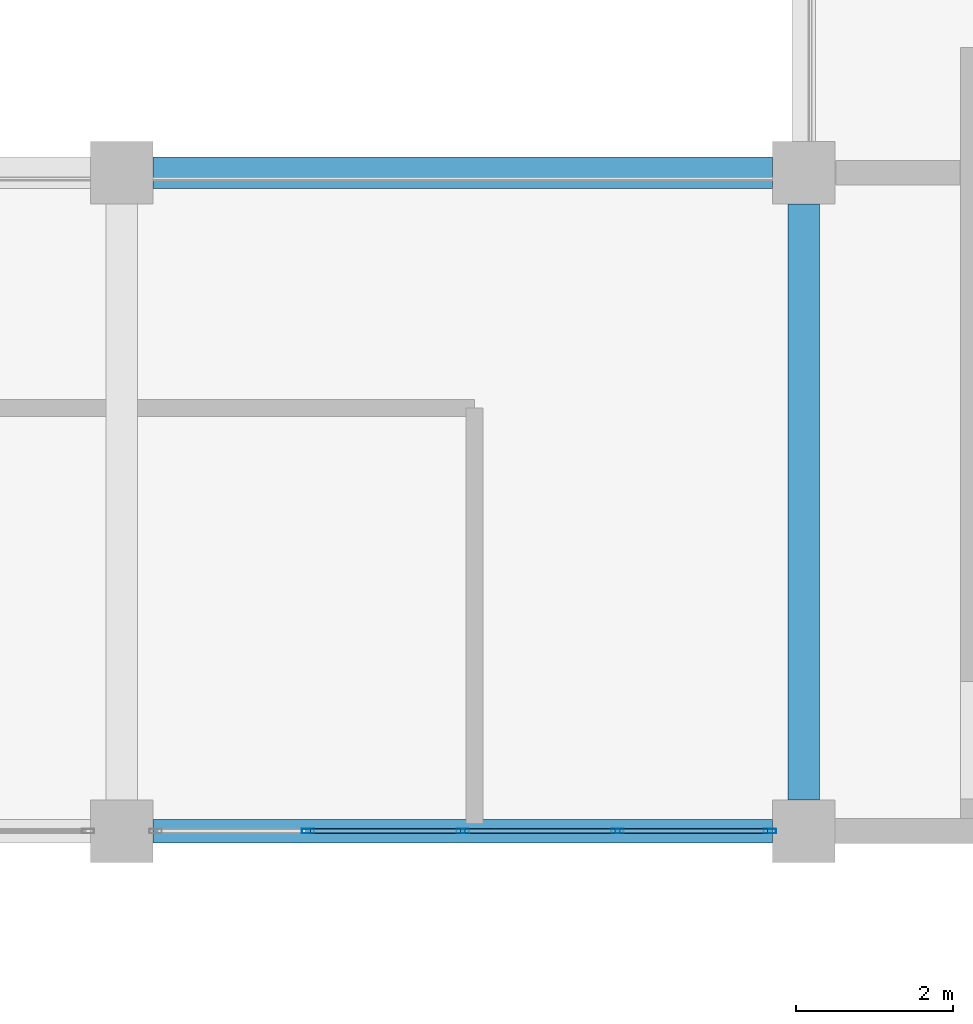
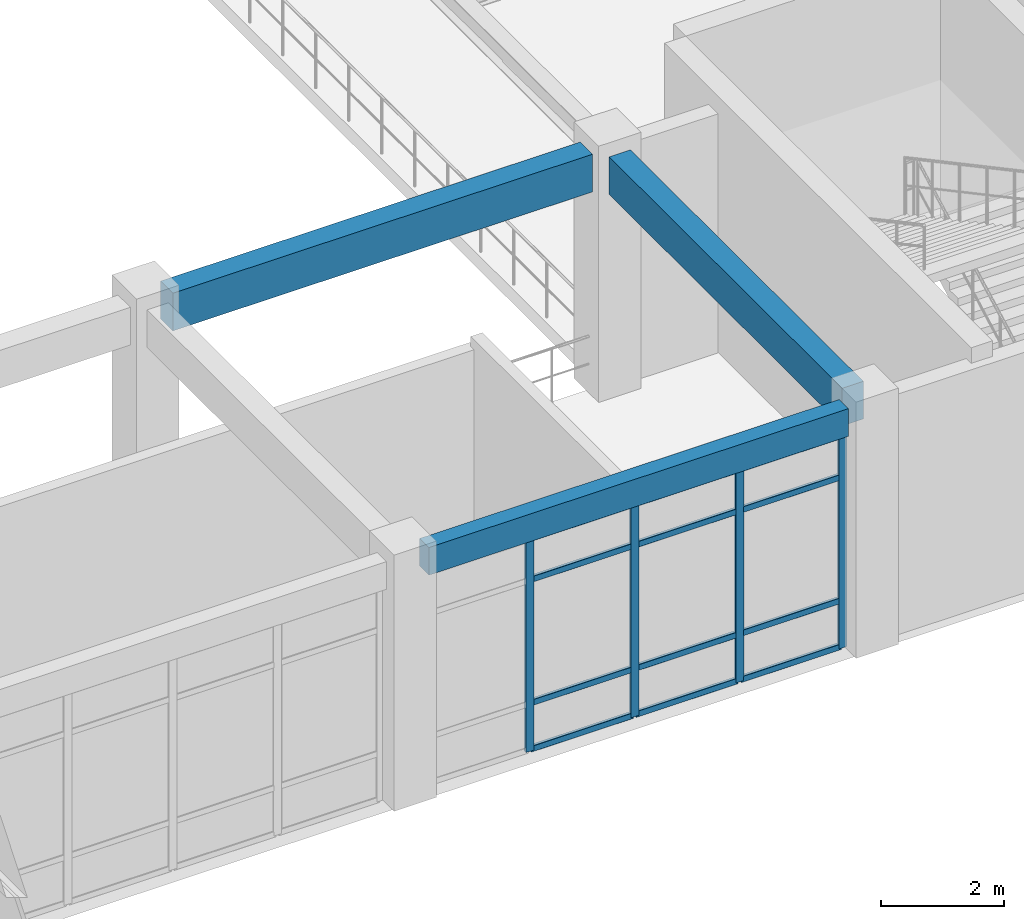
# One storey, part 38 of 96: 16 members, 3 beams, 1 element without a shape of its own.
"""IFC4 building model written with IfcOpenShell, lengths in metres."""

import ifcopenshell
import ifcopenshell.guid

model = None  # the IFC model being written
_history = None  # IfcOwnerHistory: only IFC2X3 demands one
_inside = {}  # id of a spatial element -> (the spatial element, [elements in it])
_under = {}  # id of a project, library or spatial element -> (it, [spatial elements below it])
_declared = {}  # id of a project -> (the project, [libraries it declares])
_typed = {}  # id of a type object -> (the type object, [elements of that type])
_made_of = {}  # id of a material, layer set ... -> (it, [elements and type objects made of it])


def new_model(schema):
    """Start an empty IFC model of exactly this schema.

    Asked for "IFC4X3", IfcOpenShell would pick the latest addendum, in which some entities
    have other attributes; the version numbers below select the first issue.
    IFC2X3 requires an IfcOwnerHistory on every rooted entity: one is made here for all.
    """
    global model, _history
    if schema == "IFC4X3":
        model = ifcopenshell.file(schema_version=(4, 3, 0, 0))
    else:
        model = ifcopenshell.file(schema=schema)
    _inside.clear()
    _under.clear()
    _declared.clear()
    _typed.clear()
    _made_of.clear()
    _history = None
    if model.schema == "IFC2X3":
        org = make("IfcOrganization", Name="unknown")
        user = make(
            "IfcPersonAndOrganization",
            ThePerson=make("IfcPerson", FamilyName="unknown"),
            TheOrganization=org,
        )
        app = make(
            "IfcApplication",
            ApplicationDeveloper=org,
            Version="unknown",
            ApplicationFullName="unknown",
            ApplicationIdentifier="unknown",
        )
        _history = make(
            "IfcOwnerHistory",
            OwningUser=user,
            OwningApplication=app,
            ChangeAction="ADDED",
            CreationDate=0,
        )
    return model


def make(cls, **values):
    """One entity of the class cls with the attributes given. An attribute that is None is left unset."""
    return model.create_entity(
        cls, **{name: value for name, value in values.items() if value is not None}
    )


def rooted(cls, **values):
    """An entity with a GlobalId (a new one), such as an element, a storey or a relation."""
    return make(cls, GlobalId=ifcopenshell.guid.new(), OwnerHistory=_history, **values)


def si_unit(unit_type, name, prefix=None):
    """IfcSIUnit, for example si_unit("LENGTHUNIT", "METRE", prefix="MILLI")."""
    return make("IfcSIUnit", UnitType=unit_type, Prefix=prefix, Name=name)


def derived_unit(unit_type, elements):
    """IfcDerivedUnit: a product of units, each with its exponent."""
    return make(
        "IfcDerivedUnit",
        Elements=[
            make("IfcDerivedUnitElement", Unit=unit, Exponent=power)
            for unit, power in elements
        ],
        UnitType=unit_type,
    )


def assignment(units):
    """IfcUnitAssignment: the units of a project."""
    return None if units is None else make("IfcUnitAssignment", Units=units)


def point(xyz):
    """IfcCartesianPoint."""
    return None if xyz is None else make("IfcCartesianPoint", Coordinates=xyz)


def direction(xyz):
    """IfcDirection."""
    return None if xyz is None else make("IfcDirection", DirectionRatios=xyz)


def frame(location, z_axis=None, x_axis=None):
    """IfcAxis2Placement3D, a coordinate frame: its origin and axes. An axis left out is left unset."""
    return make(
        "IfcAxis2Placement3D",
        Location=point(location),
        Axis=direction(z_axis),
        RefDirection=direction(x_axis),
    )


def frame_2d(location, x_axis=None):
    """IfcAxis2Placement2D, a coordinate frame in the plane: its origin and x axis."""
    return make(
        "IfcAxis2Placement2D", Location=point(location), RefDirection=direction(x_axis)
    )


def origin():
    """The frame at (0, 0, 0) with its axes left unset."""
    return frame((0.0, 0.0, 0.0))


def origin_2d():
    """The frame at (0, 0) in the plane with its x axis left unset."""
    return frame_2d((0.0, 0.0))


def place(relative_to, where):
    """IfcLocalPlacement: puts the frame where relative to a parent placement (None: the world)."""
    return make(
        "IfcLocalPlacement", PlacementRelTo=relative_to, RelativePlacement=where
    )


def context(
    kind, dimensions, precision=None, world=None, true_north=None, identifier=None
):
    """IfcGeometricRepresentationContext, for example the 3D "Model" context."""
    return make(
        "IfcGeometricRepresentationContext",
        ContextIdentifier=identifier,
        ContextType=kind,
        CoordinateSpaceDimension=dimensions,
        Precision=precision,
        WorldCoordinateSystem=world,
        TrueNorth=true_north,
    )


def subcontext(parent, identifier, kind, view, scale=None):
    """IfcGeometricRepresentationSubContext, for example "Body" below "Model"."""
    return make(
        "IfcGeometricRepresentationSubContext",
        ContextIdentifier=identifier,
        ContextType=kind,
        ParentContext=parent,
        TargetScale=scale,
        TargetView=view,
    )


def project(units=None, contexts=None):
    """IfcProject with its units and contexts."""
    return rooted(
        "IfcProject",
        Name="project",
        RepresentationContexts=contexts,
        UnitsInContext=assignment(units),
    )


def spatial(cls, under=None, at=None, **own):
    """A site, building, storey or space (cls), placed at a placement, below another one or the project."""
    s = rooted(cls, ObjectPlacement=at, **own)
    if under is not None:
        _under.setdefault(under.id(), (under, []))[1].append(s)
    return s


def profile(cls, at=None, kind="AREA", **sizes):
    """A parametric profile (cls). Its sizes go by their IFC names, for example OverallWidth=200.0."""
    return make(cls, ProfileType=kind, Position=at, **sizes)


def rectangle(**sizes):
    """IfcRectangleProfileDef."""
    return profile("IfcRectangleProfileDef", **sizes)


def hollow_rectangle(**sizes):
    """IfcRectangleHollowProfileDef."""
    return profile("IfcRectangleHollowProfileDef", **sizes)


def extrude(swept, where, along, depth):
    """IfcExtrudedAreaSolid: the profile swept, set in the frame where, extruded along a direction by depth."""
    return make(
        "IfcExtrudedAreaSolid",
        SweptArea=swept,
        Position=where,
        ExtrudedDirection=direction(along),
        Depth=depth,
    )


def shape(context_of_items, identifier, shape_type, items):
    """IfcShapeRepresentation: the items that make up one representation, for example the "Body"."""
    return make(
        "IfcShapeRepresentation",
        ContextOfItems=context_of_items,
        RepresentationIdentifier=identifier,
        RepresentationType=shape_type,
        Items=items,
    )


def material(Name=None, Category=None):
    """IfcMaterial."""
    return make("IfcMaterial", Name=Name, Category=Category)


def layer(
    of_material, thickness, ventilated=None, Name=None, Category=None, Priority=None
):
    """IfcMaterialLayer: one layer of a wall or slab, of a material (None: an air gap)."""
    return make(
        "IfcMaterialLayer",
        Material=of_material,
        LayerThickness=thickness,
        IsVentilated=ventilated,
        Name=Name,
        Category=Category,
        Priority=Priority,
    )


def layer_set(layers, Name=None):
    """IfcMaterialLayerSet."""
    return make("IfcMaterialLayerSet", MaterialLayers=layers, LayerSetName=Name)


def material_profile(
    of_material, cross_section, Name=None, Category=None, Priority=None
):
    """IfcMaterialProfile: a cross section and its material."""
    return make(
        "IfcMaterialProfile",
        Name=Name,
        Material=of_material,
        Profile=cross_section,
        Priority=Priority,
        Category=Category,
    )


def profile_set(profiles, Name=None, composite=None):
    """IfcMaterialProfileSet."""
    return make(
        "IfcMaterialProfileSet",
        Name=Name,
        MaterialProfiles=profiles,
        CompositeProfile=composite,
    )


def made_of(thing, what):
    """Note that an element or type object is made of a material, layer set ...; save() writes the relation."""
    if what is not None:
        _made_of.setdefault(what.id(), (what, []))[1].append(thing)
    return thing


def type_object(cls, material=None, **own):
    """A type object (cls), such as IfcWallType, which elements share."""
    return made_of(rooted(cls, **own), material)


def element(
    cls,
    number,
    at=None,
    inside=None,
    cuts=None,
    type_object=None,
    material=None,
    context=None,
    identifier="Body",
    shape_type=None,
    held_by="IfcProductDefinitionShape",
    body=None,
    shapes=None,
    **own,
):
    """One element of the class cls, such as IfcWall. Its Tag is "e" and its number.

    at: its placement. inside: the storey or other place that contains it. cuts: it is an
    opening in that element (IfcRelVoidsElement). A single representation is given by context,
    identifier, shape_type and body (its items); several are given by shapes. held_by: the class
    of the entity that holds the representations. save() writes the other relations.
    """
    e = rooted(cls, Tag="e%d" % number, ObjectPlacement=at, **own)
    if body is not None:
        shapes = [shape(context, identifier, shape_type, body)]
    if shapes is not None:
        e.Representation = make(held_by, Representations=shapes)
    if inside is not None:
        _inside.setdefault(inside.id(), (inside, []))[1].append(e)
    if cuts is not None:
        rooted(
            "IfcRelVoidsElement", RelatingBuildingElement=cuts, RelatedOpeningElement=e
        )
    if type_object is not None:
        _typed.setdefault(type_object.id(), (type_object, []))[1].append(e)
    return made_of(e, material)


def aggregate(whole, parts):
    """IfcRelAggregates: a whole, such as a stair, and the parts it consists of."""
    return rooted("IfcRelAggregates", RelatingObject=whole, RelatedObjects=parts)


def save(model, path):
    """Write the relations noted so far, then the file.

    IfcRelAggregates (storeys below a building ...), IfcRelContainedInSpatialStructure (elements
    in a storey), IfcRelDefinesByType, IfcRelAssociatesMaterial and IfcRelDeclares: one each for
    every whole, place, type object, material and project.
    """
    for whole, parts in _under.values():
        aggregate(whole, parts)
    for where, things in _inside.values():
        rooted(
            "IfcRelContainedInSpatialStructure",
            RelatedElements=things,
            RelatingStructure=where,
        )
    for kind, things in _typed.values():
        rooted("IfcRelDefinesByType", RelatedObjects=things, RelatingType=kind)
    for what, things in _made_of.values():
        rooted("IfcRelAssociatesMaterial", RelatedObjects=things, RelatingMaterial=what)
    for by, libraries in _declared.values():
        rooted("IfcRelDeclares", RelatingContext=by, RelatedDefinitions=libraries)
    model.write(path)


model = new_model("IFC4")

# Units and contexts
model_context = context("Model", 3, precision=1e-05, world=origin(), true_north=direction((0.0, 1.0)))
body_context = subcontext(model_context, "Body", "Model", "MODEL_VIEW")
ifc_project = project(units=[si_unit("LENGTHUNIT", "METRE"), si_unit("AREAUNIT", "SQUARE_METRE"), si_unit("VOLUMEUNIT", "CUBIC_METRE"), si_unit("PLANEANGLEUNIT", "RADIAN"), si_unit("MASSUNIT", "GRAM", prefix="KILO"), derived_unit("THERMALTRANSMITTANCEUNIT", [(si_unit("MASSUNIT", "GRAM", prefix="KILO"), 1), (si_unit("TIMEUNIT", "SECOND"), -3), (si_unit("THERMODYNAMICTEMPERATUREUNIT", "KELVIN"), -1)])], contexts=[model_context])

# Site, building, storey
site_placement = place(None, origin())
site = spatial("IfcSite", under=ifc_project, at=site_placement, CompositionType="ELEMENT")
building_placement = place(site_placement, origin())
building = spatial("IfcBuilding", under=site, at=building_placement, Name="Qinzheling Arcade Emporium", CompositionType="ELEMENT")
storey_placement = place(building_placement, frame((0.0, 0.0, 21.60009765625)))
storey = spatial("IfcBuildingStorey", under=building, at=storey_placement, Name="L05", CompositionType="ELEMENT", Elevation=21.60009765625)

# Curtain wall, members
ifc_material_1 = material(Name="Anodised aluminium and solar-control double glazing", Category="aluminium")
ifc_layer = layer(ifc_material_1, 0.159912109375, Name="Anodised aluminium and solar-control double glazing", Category="aluminium")
ifc_layer_set = layer_set([ifc_layer], Name="Anodised aluminium and solar-control double glazing")
curtain_wall_type = type_object("IfcCurtainWallType", Name="Atrium Clerestory Curtain Wall", PredefinedType="NOTDEFINED", material=ifc_layer_set)
curtain_wall_placement = place(storey_placement, origin())
curtain_wall = element("IfcCurtainWall", 1, at=curtain_wall_placement, inside=storey, type_object=curtain_wall_type, Name="Curtain Wall CW-L05-331", PredefinedType="NOTDEFINED")
ifc_material_2 = material(Name="Anodised aluminium 6063-T6", Category="aluminium")
ifc_material_profile_1 = material_profile(ifc_material_2, hollow_rectangle(XDim=0.06005859375, YDim=0.159912109375, WallThickness=0.00390625, InnerFilletRadius=0.00390625, OuterFilletRadius=0.008056640625, at=origin_2d()), Name="RHS 160x60x4", Category="aluminium")
ifc_profile_set_1 = profile_set([ifc_material_profile_1], Name="Anodised aluminium 6063-T6")
member_type_1 = type_object("IfcMemberType", Name="Curtain Wall Mullion RHS160x60", PredefinedType="MULLION", material=ifc_profile_set_1)
member_1_placement = place(storey_placement, frame((86.568115234375, 42.0, 0.0), z_axis=(0.0, 0.0, 1.0), x_axis=(0.0, -1.0, 0.0)))
member_1 = element("IfcMember", 2, at=member_1_placement, type_object=member_type_1, Name="CW03 mullion 1", PredefinedType="MULLION", context=body_context, shape_type="SweptSolid", body=[
    extrude(hollow_rectangle(XDim=0.06005859375, YDim=0.159912109375, WallThickness=0.00390625, InnerFilletRadius=0.00390625, OuterFilletRadius=0.008056640625, at=origin_2d()), origin(), (0.0, 0.0, 1.0), 4.2548828125),
])
member_2_placement = place(storey_placement, frame((84.6240234375, 42.0, 0.0), z_axis=(0.0, 0.0, 1.0), x_axis=(0.0, -1.0, 0.0)))
member_2 = element("IfcMember", 3, at=member_2_placement, type_object=member_type_1, Name="CW03 mullion 2", PredefinedType="MULLION", context=body_context, shape_type="SweptSolid", body=[
    extrude(hollow_rectangle(XDim=0.06005859375, YDim=0.159912109375, WallThickness=0.00390625, InnerFilletRadius=0.00390625, OuterFilletRadius=0.008056640625, at=origin_2d()), origin(), (0.0, 0.0, 1.0), 4.2548828125),
])
member_3_placement = place(storey_placement, frame((82.64990234375, 42.0, 0.0), z_axis=(0.0, 0.0, 1.0), x_axis=(0.0, -1.0, 0.0)))
member_3 = element("IfcMember", 4, at=member_3_placement, type_object=member_type_1, Name="CW03 mullion 3", PredefinedType="MULLION", context=body_context, shape_type="SweptSolid", body=[
    extrude(hollow_rectangle(XDim=0.06005859375, YDim=0.159912109375, WallThickness=0.00390625, InnerFilletRadius=0.00390625, OuterFilletRadius=0.008056640625, at=origin_2d()), origin(), (0.0, 0.0, 1.0), 4.2548828125),
])
member_4_placement = place(storey_placement, frame((80.676025390625, 42.0, 0.0), z_axis=(0.0, 0.0, 1.0), x_axis=(0.0, -1.0, 0.0)))
member_4 = element("IfcMember", 5, at=member_4_placement, type_object=member_type_1, Name="CW03 mullion 4", PredefinedType="MULLION", context=body_context, shape_type="SweptSolid", body=[
    extrude(hollow_rectangle(XDim=0.06005859375, YDim=0.159912109375, WallThickness=0.00390625, InnerFilletRadius=0.00390625, OuterFilletRadius=0.008056640625, at=origin_2d()), origin(), (0.0, 0.0, 1.0), 4.2548828125),
])
ifc_material_profile_2 = material_profile(ifc_material_2, hollow_rectangle(XDim=0.06005859375, YDim=0.1201171875, WallThickness=0.00390625, InnerFilletRadius=0.00390625, OuterFilletRadius=0.008056640625, at=origin_2d()), Name="RHS 120x60x4", Category="aluminium")
ifc_profile_set_2 = profile_set([ifc_material_profile_2], Name="Anodised aluminium 6063-T6")
member_type_2 = type_object("IfcMemberType", Name="Curtain Wall Transom RHS120x60", PredefinedType="USERDEFINED", material=ifc_profile_set_2)
member_5_placement = place(storey_placement, frame((86.5380859375, 42.0, 0.02978515625), z_axis=(-1.0, 0.0, 0.0), x_axis=(0.0, -1.0, 0.0)))
member_5 = element("IfcMember", 6, at=member_5_placement, type_object=member_type_2, Name="CW03 transom 1.1", ObjectType="TRANSOM", PredefinedType="USERDEFINED", context=body_context, shape_type="SweptSolid", body=[
    extrude(hollow_rectangle(XDim=0.06005859375, YDim=0.1201171875, WallThickness=0.00390625, InnerFilletRadius=0.00390625, OuterFilletRadius=0.008056640625, at=origin_2d()), origin(), (0.0, 0.0, 1.0), 1.884033203125),
])
member_6_placement = place(storey_placement, frame((86.5380859375, 42.0, 0.949951171875), z_axis=(-1.0, 0.0, 0.0), x_axis=(0.0, -1.0, 0.0)))
member_6 = element("IfcMember", 7, at=member_6_placement, type_object=member_type_2, Name="CW03 transom 1.2", ObjectType="TRANSOM", PredefinedType="USERDEFINED", context=body_context, shape_type="SweptSolid", body=[
    extrude(hollow_rectangle(XDim=0.06005859375, YDim=0.1201171875, WallThickness=0.00390625, InnerFilletRadius=0.00390625, OuterFilletRadius=0.008056640625, at=origin_2d()), origin(), (0.0, 0.0, 1.0), 1.884033203125),
])
member_7_placement = place(storey_placement, frame((86.5380859375, 42.0, 3.40478515625), z_axis=(-1.0, 0.0, 0.0), x_axis=(0.0, -1.0, 0.0)))
member_7 = element("IfcMember", 8, at=member_7_placement, type_object=member_type_2, Name="CW03 transom 1.3", ObjectType="TRANSOM", PredefinedType="USERDEFINED", context=body_context, shape_type="SweptSolid", body=[
    extrude(hollow_rectangle(XDim=0.06005859375, YDim=0.1201171875, WallThickness=0.00390625, InnerFilletRadius=0.00390625, OuterFilletRadius=0.008056640625, at=origin_2d()), origin(), (0.0, 0.0, 1.0), 1.884033203125),
])
member_8_placement = place(storey_placement, frame((86.5380859375, 42.0, 4.224853515625), z_axis=(-1.0, 0.0, 0.0), x_axis=(0.0, -1.0, 0.0)))
member_8 = element("IfcMember", 9, at=member_8_placement, type_object=member_type_2, Name="CW03 transom 1.4", ObjectType="TRANSOM", PredefinedType="USERDEFINED", context=body_context, shape_type="SweptSolid", body=[
    extrude(hollow_rectangle(XDim=0.06005859375, YDim=0.1201171875, WallThickness=0.00390625, InnerFilletRadius=0.00390625, OuterFilletRadius=0.008056640625, at=origin_2d()), origin(), (0.0, 0.0, 1.0), 1.884033203125),
])
member_9_placement = place(storey_placement, frame((84.593994140625, 42.0, 0.02978515625), z_axis=(-1.0, 0.0, 0.0), x_axis=(0.0, -1.0, 0.0)))
member_9 = element("IfcMember", 10, at=member_9_placement, type_object=member_type_2, Name="CW03 transom 2.1", ObjectType="TRANSOM", PredefinedType="USERDEFINED", context=body_context, shape_type="SweptSolid", body=[
    extrude(hollow_rectangle(XDim=0.06005859375, YDim=0.1201171875, WallThickness=0.00390625, InnerFilletRadius=0.00390625, OuterFilletRadius=0.008056640625, at=origin_2d()), origin(), (0.0, 0.0, 1.0), 1.9140625),
])
member_10_placement = place(storey_placement, frame((84.593994140625, 42.0, 0.949951171875), z_axis=(-1.0, 0.0, 0.0), x_axis=(0.0, -1.0, 0.0)))
member_10 = element("IfcMember", 11, at=member_10_placement, type_object=member_type_2, Name="CW03 transom 2.2", ObjectType="TRANSOM", PredefinedType="USERDEFINED", context=body_context, shape_type="SweptSolid", body=[
    extrude(hollow_rectangle(XDim=0.06005859375, YDim=0.1201171875, WallThickness=0.00390625, InnerFilletRadius=0.00390625, OuterFilletRadius=0.008056640625, at=origin_2d()), origin(), (0.0, 0.0, 1.0), 1.9140625),
])
member_11_placement = place(storey_placement, frame((84.593994140625, 42.0, 3.40478515625), z_axis=(-1.0, 0.0, 0.0), x_axis=(0.0, -1.0, 0.0)))
member_11 = element("IfcMember", 12, at=member_11_placement, type_object=member_type_2, Name="CW03 transom 2.3", ObjectType="TRANSOM", PredefinedType="USERDEFINED", context=body_context, shape_type="SweptSolid", body=[
    extrude(hollow_rectangle(XDim=0.06005859375, YDim=0.1201171875, WallThickness=0.00390625, InnerFilletRadius=0.00390625, OuterFilletRadius=0.008056640625, at=origin_2d()), origin(), (0.0, 0.0, 1.0), 1.9140625),
])
member_12_placement = place(storey_placement, frame((84.593994140625, 42.0, 4.224853515625), z_axis=(-1.0, 0.0, 0.0), x_axis=(0.0, -1.0, 0.0)))
member_12 = element("IfcMember", 13, at=member_12_placement, type_object=member_type_2, Name="CW03 transom 2.4", ObjectType="TRANSOM", PredefinedType="USERDEFINED", context=body_context, shape_type="SweptSolid", body=[
    extrude(hollow_rectangle(XDim=0.06005859375, YDim=0.1201171875, WallThickness=0.00390625, InnerFilletRadius=0.00390625, OuterFilletRadius=0.008056640625, at=origin_2d()), origin(), (0.0, 0.0, 1.0), 1.9140625),
])
member_13_placement = place(storey_placement, frame((82.6201171875, 42.0, 0.02978515625), z_axis=(-1.0, 0.0, 0.0), x_axis=(0.0, -1.0, 0.0)))
member_13 = element("IfcMember", 14, at=member_13_placement, type_object=member_type_2, Name="CW03 transom 3.1", ObjectType="TRANSOM", PredefinedType="USERDEFINED", context=body_context, shape_type="SweptSolid", body=[
    extrude(hollow_rectangle(XDim=0.06005859375, YDim=0.1201171875, WallThickness=0.00390625, InnerFilletRadius=0.00390625, OuterFilletRadius=0.008056640625, at=origin_2d()), origin(), (0.0, 0.0, 1.0), 1.9140625),
])
member_14_placement = place(storey_placement, frame((82.6201171875, 42.0, 0.949951171875), z_axis=(-1.0, 0.0, 0.0), x_axis=(0.0, -1.0, 0.0)))
member_14 = element("IfcMember", 15, at=member_14_placement, type_object=member_type_2, Name="CW03 transom 3.2", ObjectType="TRANSOM", PredefinedType="USERDEFINED", context=body_context, shape_type="SweptSolid", body=[
    extrude(hollow_rectangle(XDim=0.06005859375, YDim=0.1201171875, WallThickness=0.00390625, InnerFilletRadius=0.00390625, OuterFilletRadius=0.008056640625, at=origin_2d()), origin(), (0.0, 0.0, 1.0), 1.9140625),
])
member_15_placement = place(storey_placement, frame((82.6201171875, 42.0, 3.40478515625), z_axis=(-1.0, 0.0, 0.0), x_axis=(0.0, -1.0, 0.0)))
member_15 = element("IfcMember", 16, at=member_15_placement, type_object=member_type_2, Name="CW03 transom 3.3", ObjectType="TRANSOM", PredefinedType="USERDEFINED", context=body_context, shape_type="SweptSolid", body=[
    extrude(hollow_rectangle(XDim=0.06005859375, YDim=0.1201171875, WallThickness=0.00390625, InnerFilletRadius=0.00390625, OuterFilletRadius=0.008056640625, at=origin_2d()), origin(), (0.0, 0.0, 1.0), 1.9140625),
])
member_16_placement = place(storey_placement, frame((82.6201171875, 42.0, 4.224853515625), z_axis=(-1.0, 0.0, 0.0), x_axis=(0.0, -1.0, 0.0)))
member_16 = element("IfcMember", 17, at=member_16_placement, type_object=member_type_2, Name="CW03 transom 3.4", ObjectType="TRANSOM", PredefinedType="USERDEFINED", context=body_context, shape_type="SweptSolid", body=[
    extrude(hollow_rectangle(XDim=0.06005859375, YDim=0.1201171875, WallThickness=0.00390625, InnerFilletRadius=0.00390625, OuterFilletRadius=0.008056640625, at=origin_2d()), origin(), (0.0, 0.0, 1.0), 1.9140625),
])
aggregate(curtain_wall, [member_1, member_2, member_3, member_4, member_5, member_6, member_7, member_8, member_9, member_10, member_11, member_12, member_13, member_14, member_15, member_16])

# Beams
ifc_material_3 = material(Name="Concrete C40", Category="concrete")
ifc_material_profile_3 = material_profile(ifc_material_3, rectangle(XDim=0.39990234375, YDim=0.75, at=origin_2d()), Name="RC 400x750", Category="concrete")
ifc_profile_set_3 = profile_set([ifc_material_profile_3], Name="Concrete C40")
beam_type_1 = type_object("IfcBeamType", Name="RC Interior Tie Beam 400x750 C40", PredefinedType="BEAM", material=ifc_profile_set_3)
beam_1_placement = place(storey_placement, frame((78.699951171875, 50.39990234375, 4.44482421875), z_axis=(1.0, 0.0, 0.0), x_axis=(0.0, 1.0, 0.0)))
element("IfcBeam", 18, at=beam_1_placement, inside=storey, type_object=beam_type_1, Name="Beam BM-L05-X-G-10", PredefinedType="BEAM", context=body_context, shape_type="SweptSolid", body=[
    extrude(rectangle(XDim=0.39990234375, YDim=0.75, at=origin_2d()), origin(), (0.0, 0.0, 1.0), 7.900146484375),
])
beam_2_placement = place(storey_placement, frame((87.0, 42.39990234375, 4.44482421875), z_axis=(0.0, 1.0, 0.0), x_axis=(-1.0, 0.0, 0.0)))
element("IfcBeam", 19, at=beam_2_placement, inside=storey, type_object=beam_type_1, Name="Beam BM-L05-Y-11-F", PredefinedType="BEAM", context=body_context, shape_type="SweptSolid", body=[
    extrude(rectangle(XDim=0.39990234375, YDim=0.75, at=origin_2d()), origin(), (0.0, 0.0, 1.0), 7.60009765625),
])
ifc_material_profile_4 = material_profile(ifc_material_3, rectangle(XDim=0.300048828125, YDim=0.550048828125, at=origin_2d()), Name="RC 300x550", Category="concrete")
ifc_profile_set_4 = profile_set([ifc_material_profile_4], Name="Concrete C40")
beam_type_2 = type_object("IfcBeamType", Name="RC Terrace Spandrel Beam 300x550 C40", PredefinedType="SPANDREL", material=ifc_profile_set_4)
beam_3_placement = place(storey_placement, frame((78.699951171875, 42.0, 4.544921875), z_axis=(1.0, 0.0, 0.0), x_axis=(0.0, 1.0, 0.0)))
element("IfcBeam", 20, at=beam_3_placement, inside=storey, type_object=beam_type_2, Name="Beam BM-L05-X-F-10", PredefinedType="SPANDREL", context=body_context, shape_type="SweptSolid", body=[
    extrude(rectangle(XDim=0.300048828125, YDim=0.550048828125, at=origin_2d()), origin(), (0.0, 0.0, 1.0), 7.900146484375),
])

save(model, "model.ifc")
